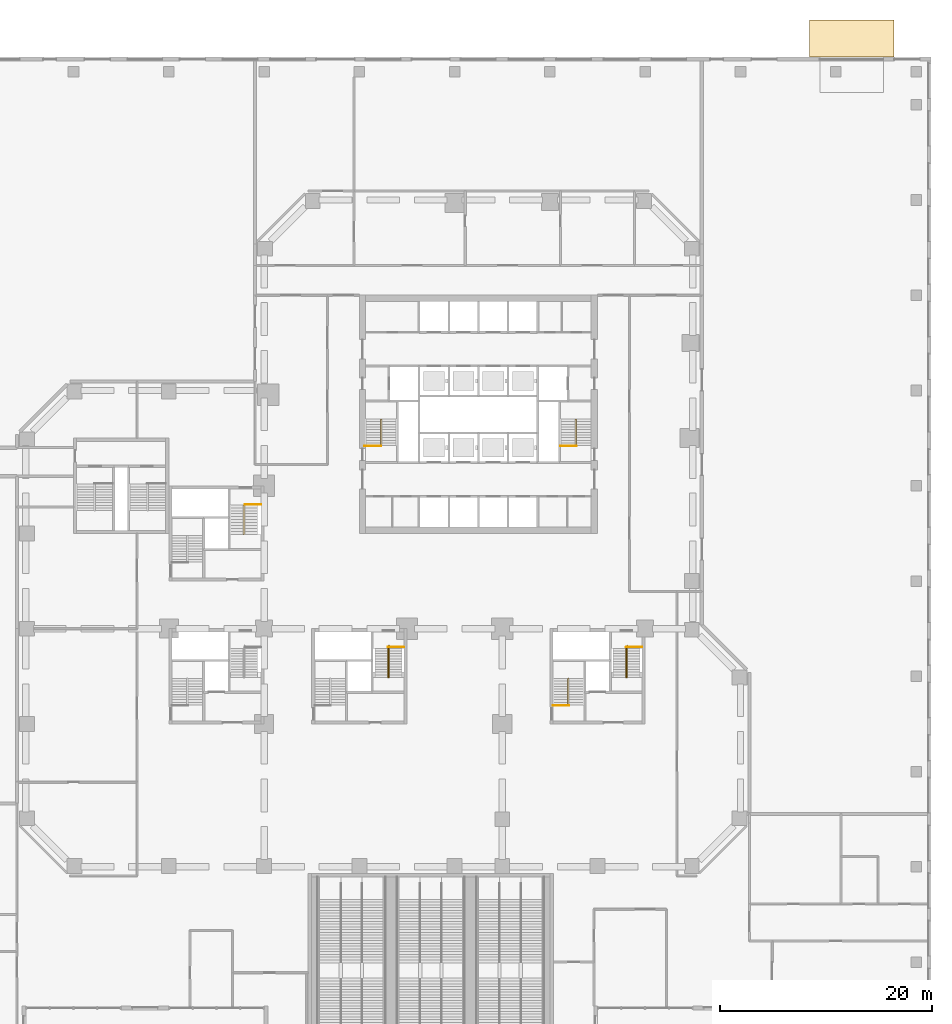
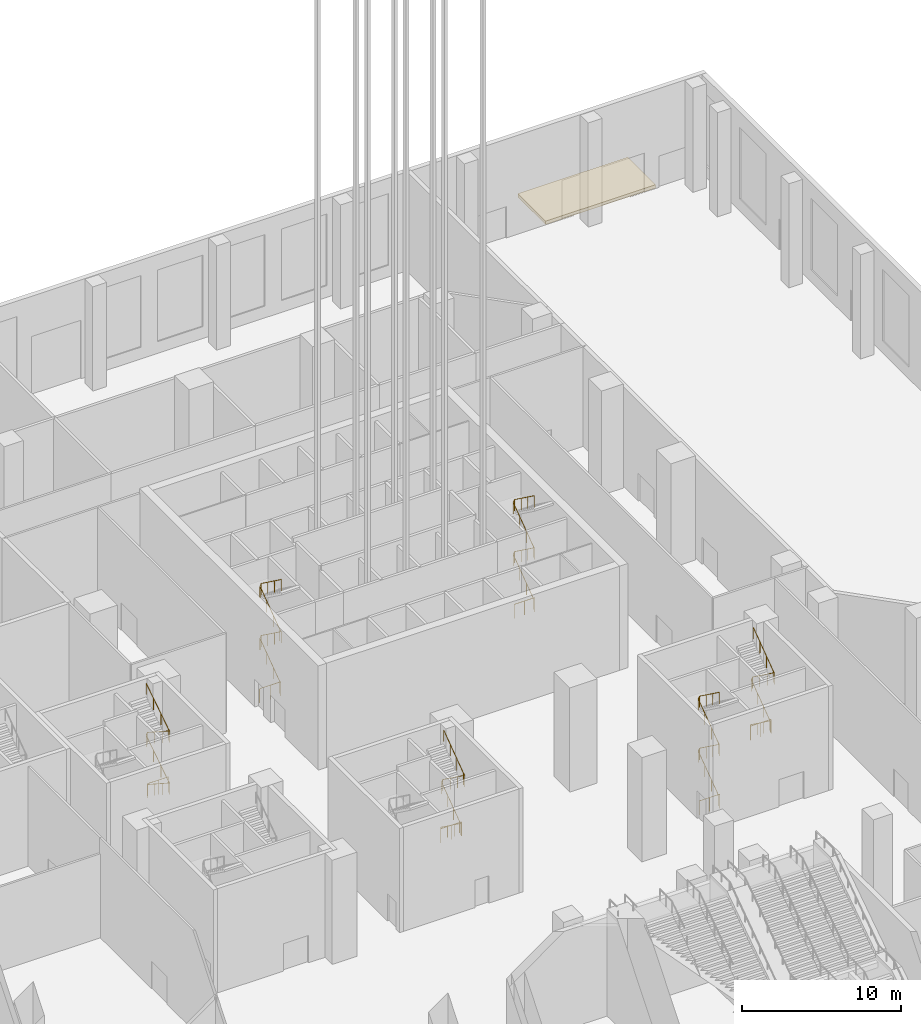
# One storey, part 31 of 32: 12 railings, 1 covering.
"""IFC4 building model written with IfcOpenShell, lengths in metres."""

from ifc_helpers import new_model, si_unit, direction, frame, origin, origin_2d, place, context, subcontext, project, spatial, polyline, circle, outline, extrude, material, layer, layer_set, type_object, element, save


model = new_model("IFC4")

# Units and contexts
model_context = context("Model", 3, precision=1e-05, world=origin(), true_north=direction((0.0, 1.0)))
body_context = subcontext(model_context, "Body", "Model", "MODEL_VIEW")
ifc_project = project(units=[si_unit("LENGTHUNIT", "METRE"), si_unit("AREAUNIT", "SQUARE_METRE"), si_unit("VOLUMEUNIT", "CUBIC_METRE"), si_unit("PLANEANGLEUNIT", "RADIAN"), si_unit("MASSUNIT", "GRAM", prefix="KILO")], contexts=[model_context])

# Site, building, storey
site_placement = place(None, origin())
site = spatial("IfcSite", under=ifc_project, at=site_placement, CompositionType="ELEMENT")
building_placement = place(site_placement, origin())
building = spatial("IfcBuilding", under=site, at=building_placement, Name="Quoin Convention Tower", CompositionType="ELEMENT")
storey_placement = place(building_placement, origin())
storey = spatial("IfcBuildingStorey", under=building, at=storey_placement, Name="L00", CompositionType="ELEMENT", Elevation=0.0)

# Covering
ifc_material_1 = material(Name="Concrete C40", Category="concrete")
ifc_layer = layer(ifc_material_1, 0.25)
ifc_layer_set = layer_set([ifc_layer], Name="Concrete C40")
covering_type = type_object("IfcCoveringType", Name="Lane apron", PredefinedType="USERDEFINED", material=ifc_layer_set)
covering_placement = place(storey_placement, frame((0.0, 0.0, -0.25)))
element("IfcCovering", 1, at=covering_placement, inside=storey, type_object=covering_type, Name="LANE APRON", ObjectType="PAVING", PredefinedType="USERDEFINED", context=body_context, shape_type="SweptSolid", body=[
    extrude(outline(polyline([(87.5, 94.5), (95.5, 94.5), (95.5, 98.0), (87.5, 98.0), (87.5, 94.5)])), origin(), (0.0, 0.0, 1.0), 0.25),
])

# Railings
ifc_material_2 = material(Name="Stainless steel", Category="steel")
railing_type_1 = type_object("IfcRailingType", Name="Stair handrail 900", PredefinedType="HANDRAIL", material=ifc_material_2)
railing_1_placement = place(storey_placement, frame((47.0048828125, 57.800048828125, 0.181884765625)))
element("IfcRailing", 2, at=railing_1_placement, inside=storey, type_object=railing_type_1, Name="SD1 handrail 1", PredefinedType="HANDRAIL", context=body_context, shape_type="SweptSolid", body=[
    extrude(circle(Radius=0.02392578125, at=origin_2d()), frame((0.0, 0.0, 0.8759765625), z_axis=(0.0, 0.808746330122, 0.588157609416), x_axis=(-1.0, 0.0, 0.0)), (0.0, 0.0, 1.0), 3.09130859375),
    extrude(circle(Radius=0.02392578125, at=origin_2d()), frame((0.0, 2.5, 2.69384765625), z_axis=(0.443842514395, 0.0, 0.896104805486), x_axis=(0.0, 1.0, 0.0)), (0.0, 0.0, 1.0), 0.202880859375),
    extrude(circle(Radius=0.02392578125, at=origin_2d()), frame((0.090087890625, 2.5, 2.8759765625), z_axis=(0.0, -0.808746330122, 0.588157609416), x_axis=(1.0, 0.0, 0.0)), (0.0, 0.0, 1.0), 3.09130859375),
    extrude(circle(Radius=0.02392578125, at=origin_2d()), frame((0.090087890625, 0.0, 4.69384765625), z_axis=(-0.443842514395, 0.0, 0.896104805486), x_axis=(0.0, -1.0, 0.0)), (0.0, 0.0, 1.0), 0.202880859375),
    extrude(circle(Radius=0.02392578125, at=origin_2d()), frame((0.0, 0.0, 4.8759765625), z_axis=(0.0, 0.808746330122, 0.588157609416), x_axis=(-1.0, 0.0, 0.0)), (0.0, 0.0, 1.0), 3.09130859375),
    extrude(circle(Radius=0.02392578125, at=origin_2d()), frame((0.0, 2.5, 6.69384765625), z_axis=(0.443842514395, 0.0, 0.896104805486), x_axis=(0.0, 1.0, 0.0)), (0.0, 0.0, 1.0), 0.202880859375),
    extrude(circle(Radius=0.02392578125, at=origin_2d()), frame((0.090087890625, 2.5, 6.8759765625), z_axis=(0.0, -0.808746330122, 0.588157609416), x_axis=(1.0, 0.0, 0.0)), (0.0, 0.0, 1.0), 3.09130859375),
    extrude(circle(Radius=0.02099609375, at=origin_2d()), origin(), (0.0, 0.0, 1.0), 0.851806640625),
    extrude(circle(Radius=0.02099609375, at=origin_2d()), frame((0.0, 0.833251953125, 0.60595703125)), (0.0, 0.0, 1.0), 0.851806640625),
    extrude(circle(Radius=0.02099609375, at=origin_2d()), frame((0.0, 1.666748046875, 1.212158203125)), (0.0, 0.0, 1.0), 0.851806640625),
    extrude(circle(Radius=0.02099609375, at=origin_2d()), frame((0.0, 2.5, 1.818115234375)), (0.0, 0.0, 1.0), 0.851806640625),
    extrude(circle(Radius=0.02099609375, at=origin_2d()), frame((0.090087890625, 2.5, 2.0)), (0.0, 0.0, 1.0), 0.851806640625),
    extrude(circle(Radius=0.02099609375, at=origin_2d()), frame((0.090087890625, 1.666748046875, 2.60595703125)), (0.0, 0.0, 1.0), 0.851806640625),
    extrude(circle(Radius=0.02099609375, at=origin_2d()), frame((0.090087890625, 0.833251953125, 3.212158203125)), (0.0, 0.0, 1.0), 0.851806640625),
    extrude(circle(Radius=0.02099609375, at=origin_2d()), frame((0.090087890625, 0.0, 3.818115234375)), (0.0, 0.0, 1.0), 0.851806640625),
    extrude(circle(Radius=0.02099609375, at=origin_2d()), frame((0.0, 0.0, 4.0)), (0.0, 0.0, 1.0), 0.851806640625),
    extrude(circle(Radius=0.02099609375, at=origin_2d()), frame((0.0, 0.833251953125, 4.60595703125)), (0.0, 0.0, 1.0), 0.851806640625),
    extrude(circle(Radius=0.02099609375, at=origin_2d()), frame((0.0, 1.666748046875, 5.212158203125)), (0.0, 0.0, 1.0), 0.851806640625),
    extrude(circle(Radius=0.02099609375, at=origin_2d()), frame((0.0, 2.5, 5.818115234375)), (0.0, 0.0, 1.0), 0.851806640625),
    extrude(circle(Radius=0.02099609375, at=origin_2d()), frame((0.090087890625, 2.5, 6.0)), (0.0, 0.0, 1.0), 0.851806640625),
    extrude(circle(Radius=0.02099609375, at=origin_2d()), frame((0.090087890625, 1.666748046875, 6.60595703125)), (0.0, 0.0, 1.0), 0.851806640625),
    extrude(circle(Radius=0.02099609375, at=origin_2d()), frame((0.090087890625, 0.833251953125, 7.212158203125)), (0.0, 0.0, 1.0), 0.851806640625),
    extrude(circle(Radius=0.02099609375, at=origin_2d()), frame((0.090087890625, 0.0, 7.818115234375)), (0.0, 0.0, 1.0), 0.851806640625),
])
railing_2_placement = place(storey_placement, frame((65.405029296875, 57.800048828125, 0.181884765625)))
element("IfcRailing", 3, at=railing_2_placement, inside=storey, type_object=railing_type_1, Name="SD2 handrail 1", PredefinedType="HANDRAIL", context=body_context, shape_type="SweptSolid", body=[
    extrude(circle(Radius=0.02392578125, at=origin_2d()), frame((0.0, 0.0, 0.8759765625), z_axis=(0.0, 0.808746330122, 0.588157609416), x_axis=(-1.0, 0.0, 0.0)), (0.0, 0.0, 1.0), 3.09130859375),
    extrude(circle(Radius=0.02392578125, at=origin_2d()), frame((0.0, 2.5, 2.69384765625), z_axis=(0.443842514395, 0.0, 0.896104805486), x_axis=(0.0, 1.0, 0.0)), (0.0, 0.0, 1.0), 0.202880859375),
    extrude(circle(Radius=0.02392578125, at=origin_2d()), frame((0.090087890625, 2.5, 2.8759765625), z_axis=(0.0, -0.808746330122, 0.588157609416), x_axis=(1.0, 0.0, 0.0)), (0.0, 0.0, 1.0), 3.09130859375),
    extrude(circle(Radius=0.02392578125, at=origin_2d()), frame((0.090087890625, 0.0, 4.69384765625), z_axis=(-0.443842514395, 0.0, 0.896104805486), x_axis=(0.0, -1.0, 0.0)), (0.0, 0.0, 1.0), 0.202880859375),
    extrude(circle(Radius=0.02392578125, at=origin_2d()), frame((0.0, 0.0, 4.8759765625), z_axis=(0.0, 0.808746330122, 0.588157609416), x_axis=(-1.0, 0.0, 0.0)), (0.0, 0.0, 1.0), 3.09130859375),
    extrude(circle(Radius=0.02392578125, at=origin_2d()), frame((0.0, 2.5, 6.69384765625), z_axis=(0.443842514395, 0.0, 0.896104805486), x_axis=(0.0, 1.0, 0.0)), (0.0, 0.0, 1.0), 0.202880859375),
    extrude(circle(Radius=0.02392578125, at=origin_2d()), frame((0.090087890625, 2.5, 6.8759765625), z_axis=(0.0, -0.808746330122, 0.588157609416), x_axis=(1.0, 0.0, 0.0)), (0.0, 0.0, 1.0), 3.09130859375),
    extrude(circle(Radius=0.02099609375, at=origin_2d()), origin(), (0.0, 0.0, 1.0), 0.851806640625),
    extrude(circle(Radius=0.02099609375, at=origin_2d()), frame((0.0, 0.833251953125, 0.60595703125)), (0.0, 0.0, 1.0), 0.851806640625),
    extrude(circle(Radius=0.02099609375, at=origin_2d()), frame((0.0, 1.666748046875, 1.212158203125)), (0.0, 0.0, 1.0), 0.851806640625),
    extrude(circle(Radius=0.02099609375, at=origin_2d()), frame((0.0, 2.5, 1.818115234375)), (0.0, 0.0, 1.0), 0.851806640625),
    extrude(circle(Radius=0.02099609375, at=origin_2d()), frame((0.090087890625, 2.5, 2.0)), (0.0, 0.0, 1.0), 0.851806640625),
    extrude(circle(Radius=0.02099609375, at=origin_2d()), frame((0.090087890625, 1.666748046875, 2.60595703125)), (0.0, 0.0, 1.0), 0.851806640625),
    extrude(circle(Radius=0.02099609375, at=origin_2d()), frame((0.090087890625, 0.833251953125, 3.212158203125)), (0.0, 0.0, 1.0), 0.851806640625),
    extrude(circle(Radius=0.02099609375, at=origin_2d()), frame((0.090087890625, 0.0, 3.818115234375)), (0.0, 0.0, 1.0), 0.851806640625),
    extrude(circle(Radius=0.02099609375, at=origin_2d()), frame((0.0, 0.0, 4.0)), (0.0, 0.0, 1.0), 0.851806640625),
    extrude(circle(Radius=0.02099609375, at=origin_2d()), frame((0.0, 0.833251953125, 4.60595703125)), (0.0, 0.0, 1.0), 0.851806640625),
    extrude(circle(Radius=0.02099609375, at=origin_2d()), frame((0.0, 1.666748046875, 5.212158203125)), (0.0, 0.0, 1.0), 0.851806640625),
    extrude(circle(Radius=0.02099609375, at=origin_2d()), frame((0.0, 2.5, 5.818115234375)), (0.0, 0.0, 1.0), 0.851806640625),
    extrude(circle(Radius=0.02099609375, at=origin_2d()), frame((0.090087890625, 2.5, 6.0)), (0.0, 0.0, 1.0), 0.851806640625),
    extrude(circle(Radius=0.02099609375, at=origin_2d()), frame((0.090087890625, 1.666748046875, 6.60595703125)), (0.0, 0.0, 1.0), 0.851806640625),
    extrude(circle(Radius=0.02099609375, at=origin_2d()), frame((0.090087890625, 0.833251953125, 7.212158203125)), (0.0, 0.0, 1.0), 0.851806640625),
    extrude(circle(Radius=0.02099609375, at=origin_2d()), frame((0.090087890625, 0.0, 7.818115234375)), (0.0, 0.0, 1.0), 0.851806640625),
])
railing_3_placement = place(storey_placement, frame((34.14501953125, 52.199951171875, 0.181884765625)))
element("IfcRailing", 4, at=railing_3_placement, inside=storey, type_object=railing_type_1, Name="SD4 handrail 1", PredefinedType="HANDRAIL", context=body_context, shape_type="SweptSolid", body=[
    extrude(circle(Radius=0.02392578125, at=origin_2d()), frame((0.0, 0.0, 0.8759765625), z_axis=(0.0, -0.838705829183, 0.544584733623), x_axis=(1.0, 0.0, 0.0)), (0.0, 0.0, 1.0), 3.338623046875),
    extrude(circle(Radius=0.02392578125, at=origin_2d()), frame((0.0, -2.800048828125, 2.69384765625), z_axis=(-0.443842514395, 0.0, 0.896104805486), x_axis=(0.0, -1.0, 0.0)), (0.0, 0.0, 1.0), 0.202880859375),
    extrude(circle(Radius=0.02392578125, at=origin_2d()), frame((-0.090087890625, -2.800048828125, 2.8759765625), z_axis=(0.0, 0.838705829183, 0.544584733623), x_axis=(-1.0, 0.0, 0.0)), (0.0, 0.0, 1.0), 3.338623046875),
    extrude(circle(Radius=0.02392578125, at=origin_2d()), frame((-0.090087890625, 0.0, 4.69384765625), z_axis=(0.443842514395, 0.0, 0.896104805486), x_axis=(0.0, 1.0, 0.0)), (0.0, 0.0, 1.0), 0.202880859375),
    extrude(circle(Radius=0.02392578125, at=origin_2d()), frame((0.0, 0.0, 4.8759765625), z_axis=(0.0, -0.838705829183, 0.544584733623), x_axis=(1.0, 0.0, 0.0)), (0.0, 0.0, 1.0), 3.338623046875),
    extrude(circle(Radius=0.02392578125, at=origin_2d()), frame((0.0, -2.800048828125, 6.69384765625), z_axis=(-0.443842514395, 0.0, 0.896104805486), x_axis=(0.0, -1.0, 0.0)), (0.0, 0.0, 1.0), 0.202880859375),
    extrude(circle(Radius=0.02392578125, at=origin_2d()), frame((-0.090087890625, -2.800048828125, 6.8759765625), z_axis=(0.0, 0.838705829183, 0.544584733623), x_axis=(-1.0, 0.0, 0.0)), (0.0, 0.0, 1.0), 3.338623046875),
    extrude(circle(Radius=0.02099609375, at=origin_2d()), origin(), (0.0, 0.0, 1.0), 0.851806640625),
    extrude(circle(Radius=0.02099609375, at=origin_2d()), frame((0.0, -0.933349609375, 0.60595703125)), (0.0, 0.0, 1.0), 0.851806640625),
    extrude(circle(Radius=0.02099609375, at=origin_2d()), frame((0.0, -1.86669921875, 1.212158203125)), (0.0, 0.0, 1.0), 0.851806640625),
    extrude(circle(Radius=0.02099609375, at=origin_2d()), frame((0.0, -2.800048828125, 1.818115234375)), (0.0, 0.0, 1.0), 0.851806640625),
    extrude(circle(Radius=0.02099609375, at=origin_2d()), frame((-0.090087890625, -2.800048828125, 2.0)), (0.0, 0.0, 1.0), 0.851806640625),
    extrude(circle(Radius=0.02099609375, at=origin_2d()), frame((-0.090087890625, -1.86669921875, 2.60595703125)), (0.0, 0.0, 1.0), 0.851806640625),
    extrude(circle(Radius=0.02099609375, at=origin_2d()), frame((-0.090087890625, -0.933349609375, 3.212158203125)), (0.0, 0.0, 1.0), 0.851806640625),
    extrude(circle(Radius=0.02099609375, at=origin_2d()), frame((-0.090087890625, 0.0, 3.818115234375)), (0.0, 0.0, 1.0), 0.851806640625),
    extrude(circle(Radius=0.02099609375, at=origin_2d()), frame((0.0, 0.0, 4.0)), (0.0, 0.0, 1.0), 0.851806640625),
    extrude(circle(Radius=0.02099609375, at=origin_2d()), frame((0.0, -0.933349609375, 4.60595703125)), (0.0, 0.0, 1.0), 0.851806640625),
    extrude(circle(Radius=0.02099609375, at=origin_2d()), frame((0.0, -1.86669921875, 5.212158203125)), (0.0, 0.0, 1.0), 0.851806640625),
    extrude(circle(Radius=0.02099609375, at=origin_2d()), frame((0.0, -2.800048828125, 5.818115234375)), (0.0, 0.0, 1.0), 0.851806640625),
    extrude(circle(Radius=0.02099609375, at=origin_2d()), frame((-0.090087890625, -2.800048828125, 6.0)), (0.0, 0.0, 1.0), 0.851806640625),
    extrude(circle(Radius=0.02099609375, at=origin_2d()), frame((-0.090087890625, -1.86669921875, 6.60595703125)), (0.0, 0.0, 1.0), 0.851806640625),
    extrude(circle(Radius=0.02099609375, at=origin_2d()), frame((-0.090087890625, -0.933349609375, 7.212158203125)), (0.0, 0.0, 1.0), 0.851806640625),
    extrude(circle(Radius=0.02099609375, at=origin_2d()), frame((-0.090087890625, 0.0, 7.818115234375)), (0.0, 0.0, 1.0), 0.851806640625),
])
railing_4_placement = place(storey_placement, frame((47.794921875, 38.89990234375, 0.181884765625)))
element("IfcRailing", 5, at=railing_4_placement, inside=storey, type_object=railing_type_1, Name="SD6 handrail 1", PredefinedType="HANDRAIL", context=body_context, shape_type="SweptSolid", body=[
    extrude(circle(Radius=0.02392578125, at=origin_2d()), frame((0.0, 0.0, 0.8759765625), z_axis=(0.0, -0.808746330122, 0.588157609416), x_axis=(1.0, 0.0, 0.0)), (0.0, 0.0, 1.0), 3.09130859375),
    extrude(circle(Radius=0.02392578125, at=origin_2d()), frame((0.0, -2.5, 2.69384765625), z_axis=(-0.44287586767, 0.0, 0.896582938626), x_axis=(0.0, -1.0, 0.0)), (0.0, 0.0, 1.0), 0.202880859375),
    extrude(circle(Radius=0.02392578125, at=origin_2d()), frame((-0.08984375, -2.5, 2.8759765625), z_axis=(0.0, 0.808758852809, 0.588140389706), x_axis=(-1.0, 0.0, 0.0)), (0.0, 0.0, 1.0), 2.781982421875),
    extrude(circle(Radius=0.02392578125, at=origin_2d()), frame((-0.08984375, -0.25, 4.51220703125), z_axis=(0.44287586767, 0.0, 0.896582938626), x_axis=(0.0, 1.0, 0.0)), (0.0, 0.0, 1.0), 0.202880859375),
    extrude(circle(Radius=0.02392578125, at=origin_2d()), frame((0.0, -0.25, 4.69384765625), z_axis=(0.0, -0.808736084303, 0.588171697675), x_axis=(1.0, 0.0, 0.0)), (0.0, 0.0, 1.0), 3.400390625),
    extrude(circle(Radius=0.02392578125, at=origin_2d()), frame((0.0, -3.0, 6.69384765625), z_axis=(-0.44287586767, 0.0, 0.896582938626), x_axis=(0.0, -1.0, 0.0)), (0.0, 0.0, 1.0), 0.202880859375),
    extrude(circle(Radius=0.02392578125, at=origin_2d()), frame((-0.08984375, -3.0, 6.8759765625), z_axis=(0.0, 0.808746330122, 0.588157609416), x_axis=(-1.0, 0.0, 0.0)), (0.0, 0.0, 1.0), 3.09130859375),
    extrude(circle(Radius=0.02099609375, at=origin_2d()), origin(), (0.0, 0.0, 1.0), 0.851806640625),
    extrude(circle(Radius=0.02099609375, at=origin_2d()), frame((0.0, -0.833251953125, 0.60595703125)), (0.0, 0.0, 1.0), 0.851806640625),
    extrude(circle(Radius=0.02099609375, at=origin_2d()), frame((0.0, -1.666748046875, 1.212158203125)), (0.0, 0.0, 1.0), 0.851806640625),
    extrude(circle(Radius=0.02099609375, at=origin_2d()), frame((0.0, -2.5, 1.818115234375)), (0.0, 0.0, 1.0), 0.851806640625),
    extrude(circle(Radius=0.02099609375, at=origin_2d()), frame((-0.08984375, -2.5, 2.0)), (0.0, 0.0, 1.0), 0.851806640625),
    extrude(circle(Radius=0.02099609375, at=origin_2d()), frame((-0.08984375, -1.75, 2.54541015625)), (0.0, 0.0, 1.0), 0.851806640625),
    extrude(circle(Radius=0.02099609375, at=origin_2d()), frame((-0.08984375, -1.0, 3.0908203125)), (0.0, 0.0, 1.0), 0.851806640625),
    extrude(circle(Radius=0.02099609375, at=origin_2d()), frame((-0.08984375, -0.25, 3.63623046875)), (0.0, 0.0, 1.0), 0.851806640625),
    extrude(circle(Radius=0.02099609375, at=origin_2d()), frame((0.0, -0.25, 3.818115234375)), (0.0, 0.0, 1.0), 0.851806640625),
    extrude(circle(Radius=0.02099609375, at=origin_2d()), frame((0.0, -1.166748046875, 4.48486328125)), (0.0, 0.0, 1.0), 0.851806640625),
    extrude(circle(Radius=0.02099609375, at=origin_2d()), frame((0.0, -2.083251953125, 5.1513671875)), (0.0, 0.0, 1.0), 0.851806640625),
    extrude(circle(Radius=0.02099609375, at=origin_2d()), frame((0.0, -3.0, 5.818115234375)), (0.0, 0.0, 1.0), 0.851806640625),
    extrude(circle(Radius=0.02099609375, at=origin_2d()), frame((-0.08984375, -3.0, 6.0)), (0.0, 0.0, 1.0), 0.851806640625),
    extrude(circle(Radius=0.02099609375, at=origin_2d()), frame((-0.08984375, -2.166748046875, 6.60595703125)), (0.0, 0.0, 1.0), 0.851806640625),
    extrude(circle(Radius=0.02099609375, at=origin_2d()), frame((-0.08984375, -1.333251953125, 7.212158203125)), (0.0, 0.0, 1.0), 0.851806640625),
    extrude(circle(Radius=0.02099609375, at=origin_2d()), frame((-0.08984375, -0.5, 7.818115234375)), (0.0, 0.0, 1.0), 0.851806640625),
])
railing_5_placement = place(storey_placement, frame((64.705078125, 33.300048828125, 0.181884765625)))
element("IfcRailing", 6, at=railing_5_placement, inside=storey, type_object=railing_type_1, Name="SD9 handrail 1", PredefinedType="HANDRAIL", context=body_context, shape_type="SweptSolid", body=[
    extrude(circle(Radius=0.02392578125, at=origin_2d()), frame((0.0, 0.0, 0.8759765625), z_axis=(0.0, 0.808746330122, 0.588157609416), x_axis=(-1.0, 0.0, 0.0)), (0.0, 0.0, 1.0), 3.09130859375),
    extrude(circle(Radius=0.02392578125, at=origin_2d()), frame((0.0, 2.5, 2.69384765625), z_axis=(0.44287586767, 0.0, 0.896582938626), x_axis=(0.0, 1.0, 0.0)), (0.0, 0.0, 1.0), 0.202880859375),
    extrude(circle(Radius=0.02392578125, at=origin_2d()), frame((0.08984375, 2.5, 2.8759765625), z_axis=(0.0, -0.808746330122, 0.588157609416), x_axis=(1.0, 0.0, 0.0)), (0.0, 0.0, 1.0), 3.09130859375),
    extrude(circle(Radius=0.02392578125, at=origin_2d()), frame((0.08984375, 0.0, 4.69384765625), z_axis=(-0.44287586767, 0.0, 0.896582938626), x_axis=(0.0, -1.0, 0.0)), (0.0, 0.0, 1.0), 0.202880859375),
    extrude(circle(Radius=0.02392578125, at=origin_2d()), frame((0.0, 0.0, 4.8759765625), z_axis=(0.0, 0.808746330122, 0.588157609416), x_axis=(-1.0, 0.0, 0.0)), (0.0, 0.0, 1.0), 3.09130859375),
    extrude(circle(Radius=0.02392578125, at=origin_2d()), frame((0.0, 2.5, 6.69384765625), z_axis=(0.44287586767, 0.0, 0.896582938626), x_axis=(0.0, 1.0, 0.0)), (0.0, 0.0, 1.0), 0.202880859375),
    extrude(circle(Radius=0.02392578125, at=origin_2d()), frame((0.08984375, 2.5, 6.8759765625), z_axis=(0.0, -0.808746330122, 0.588157609416), x_axis=(1.0, 0.0, 0.0)), (0.0, 0.0, 1.0), 3.09130859375),
    extrude(circle(Radius=0.02099609375, at=origin_2d()), origin(), (0.0, 0.0, 1.0), 0.851806640625),
    extrude(circle(Radius=0.02099609375, at=origin_2d()), frame((0.0, 0.833251953125, 0.60595703125)), (0.0, 0.0, 1.0), 0.851806640625),
    extrude(circle(Radius=0.02099609375, at=origin_2d()), frame((0.0, 1.666748046875, 1.212158203125)), (0.0, 0.0, 1.0), 0.851806640625),
    extrude(circle(Radius=0.02099609375, at=origin_2d()), frame((0.0, 2.5, 1.818115234375)), (0.0, 0.0, 1.0), 0.851806640625),
    extrude(circle(Radius=0.02099609375, at=origin_2d()), frame((0.08984375, 2.5, 2.0)), (0.0, 0.0, 1.0), 0.851806640625),
    extrude(circle(Radius=0.02099609375, at=origin_2d()), frame((0.08984375, 1.666748046875, 2.60595703125)), (0.0, 0.0, 1.0), 0.851806640625),
    extrude(circle(Radius=0.02099609375, at=origin_2d()), frame((0.08984375, 0.833251953125, 3.212158203125)), (0.0, 0.0, 1.0), 0.851806640625),
    extrude(circle(Radius=0.02099609375, at=origin_2d()), frame((0.08984375, 0.0, 3.818115234375)), (0.0, 0.0, 1.0), 0.851806640625),
    extrude(circle(Radius=0.02099609375, at=origin_2d()), frame((0.0, 0.0, 4.0)), (0.0, 0.0, 1.0), 0.851806640625),
    extrude(circle(Radius=0.02099609375, at=origin_2d()), frame((0.0, 0.833251953125, 4.60595703125)), (0.0, 0.0, 1.0), 0.851806640625),
    extrude(circle(Radius=0.02099609375, at=origin_2d()), frame((0.0, 1.666748046875, 5.212158203125)), (0.0, 0.0, 1.0), 0.851806640625),
    extrude(circle(Radius=0.02099609375, at=origin_2d()), frame((0.0, 2.5, 5.818115234375)), (0.0, 0.0, 1.0), 0.851806640625),
    extrude(circle(Radius=0.02099609375, at=origin_2d()), frame((0.08984375, 2.5, 6.0)), (0.0, 0.0, 1.0), 0.851806640625),
    extrude(circle(Radius=0.02099609375, at=origin_2d()), frame((0.08984375, 1.666748046875, 6.60595703125)), (0.0, 0.0, 1.0), 0.851806640625),
    extrude(circle(Radius=0.02099609375, at=origin_2d()), frame((0.08984375, 0.833251953125, 7.212158203125)), (0.0, 0.0, 1.0), 0.851806640625),
    extrude(circle(Radius=0.02099609375, at=origin_2d()), frame((0.08984375, 0.0, 7.818115234375)), (0.0, 0.0, 1.0), 0.851806640625),
])
railing_6_placement = place(storey_placement, frame((70.294921875, 38.89990234375, 0.181884765625)))
element("IfcRailing", 7, at=railing_6_placement, inside=storey, type_object=railing_type_1, Name="SD10 handrail 1", PredefinedType="HANDRAIL", context=body_context, shape_type="SweptSolid", body=[
    extrude(circle(Radius=0.02392578125, at=origin_2d()), frame((0.0, 0.0, 0.8759765625), z_axis=(0.0, -0.808746330122, 0.588157609416), x_axis=(1.0, 0.0, 0.0)), (0.0, 0.0, 1.0), 3.09130859375),
    extrude(circle(Radius=0.02392578125, at=origin_2d()), frame((0.0, -2.5, 2.69384765625), z_axis=(-0.44287586767, 0.0, 0.896582938626), x_axis=(0.0, -1.0, 0.0)), (0.0, 0.0, 1.0), 0.202880859375),
    extrude(circle(Radius=0.02392578125, at=origin_2d()), frame((-0.08984375, -2.5, 2.8759765625), z_axis=(0.0, 0.808758852809, 0.588140389706), x_axis=(-1.0, 0.0, 0.0)), (0.0, 0.0, 1.0), 2.781982421875),
    extrude(circle(Radius=0.02392578125, at=origin_2d()), frame((-0.08984375, -0.25, 4.51220703125), z_axis=(0.44287586767, 0.0, 0.896582938626), x_axis=(0.0, 1.0, 0.0)), (0.0, 0.0, 1.0), 0.202880859375),
    extrude(circle(Radius=0.02392578125, at=origin_2d()), frame((0.0, -0.25, 4.69384765625), z_axis=(0.0, -0.808736084303, 0.588171697675), x_axis=(1.0, 0.0, 0.0)), (0.0, 0.0, 1.0), 3.400390625),
    extrude(circle(Radius=0.02392578125, at=origin_2d()), frame((0.0, -3.0, 6.69384765625), z_axis=(-0.44287586767, 0.0, 0.896582938626), x_axis=(0.0, -1.0, 0.0)), (0.0, 0.0, 1.0), 0.202880859375),
    extrude(circle(Radius=0.02392578125, at=origin_2d()), frame((-0.08984375, -3.0, 6.8759765625), z_axis=(0.0, 0.808746330122, 0.588157609416), x_axis=(-1.0, 0.0, 0.0)), (0.0, 0.0, 1.0), 3.09130859375),
    extrude(circle(Radius=0.02099609375, at=origin_2d()), origin(), (0.0, 0.0, 1.0), 0.851806640625),
    extrude(circle(Radius=0.02099609375, at=origin_2d()), frame((0.0, -0.833251953125, 0.60595703125)), (0.0, 0.0, 1.0), 0.851806640625),
    extrude(circle(Radius=0.02099609375, at=origin_2d()), frame((0.0, -1.666748046875, 1.212158203125)), (0.0, 0.0, 1.0), 0.851806640625),
    extrude(circle(Radius=0.02099609375, at=origin_2d()), frame((0.0, -2.5, 1.818115234375)), (0.0, 0.0, 1.0), 0.851806640625),
    extrude(circle(Radius=0.02099609375, at=origin_2d()), frame((-0.08984375, -2.5, 2.0)), (0.0, 0.0, 1.0), 0.851806640625),
    extrude(circle(Radius=0.02099609375, at=origin_2d()), frame((-0.08984375, -1.75, 2.54541015625)), (0.0, 0.0, 1.0), 0.851806640625),
    extrude(circle(Radius=0.02099609375, at=origin_2d()), frame((-0.08984375, -1.0, 3.0908203125)), (0.0, 0.0, 1.0), 0.851806640625),
    extrude(circle(Radius=0.02099609375, at=origin_2d()), frame((-0.08984375, -0.25, 3.63623046875)), (0.0, 0.0, 1.0), 0.851806640625),
    extrude(circle(Radius=0.02099609375, at=origin_2d()), frame((0.0, -0.25, 3.818115234375)), (0.0, 0.0, 1.0), 0.851806640625),
    extrude(circle(Radius=0.02099609375, at=origin_2d()), frame((0.0, -1.166748046875, 4.48486328125)), (0.0, 0.0, 1.0), 0.851806640625),
    extrude(circle(Radius=0.02099609375, at=origin_2d()), frame((0.0, -2.083251953125, 5.1513671875)), (0.0, 0.0, 1.0), 0.851806640625),
    extrude(circle(Radius=0.02099609375, at=origin_2d()), frame((0.0, -3.0, 5.818115234375)), (0.0, 0.0, 1.0), 0.851806640625),
    extrude(circle(Radius=0.02099609375, at=origin_2d()), frame((-0.08984375, -3.0, 6.0)), (0.0, 0.0, 1.0), 0.851806640625),
    extrude(circle(Radius=0.02099609375, at=origin_2d()), frame((-0.08984375, -2.166748046875, 6.60595703125)), (0.0, 0.0, 1.0), 0.851806640625),
    extrude(circle(Radius=0.02099609375, at=origin_2d()), frame((-0.08984375, -1.333251953125, 7.212158203125)), (0.0, 0.0, 1.0), 0.851806640625),
    extrude(circle(Radius=0.02099609375, at=origin_2d()), frame((-0.08984375, -0.5, 7.818115234375)), (0.0, 0.0, 1.0), 0.851806640625),
])
railing_type_2 = type_object("IfcRailingType", Name="Stair top guard 1100", PredefinedType="GUARDRAIL", material=ifc_material_2)
railing_7_placement = place(storey_placement, frame((45.5, 57.75, 0.0)))
element("IfcRailing", 8, at=railing_7_placement, inside=storey, type_object=railing_type_2, Name="SD1 top guard", PredefinedType="GUARDRAIL", context=body_context, shape_type="SweptSolid", body=[
    extrude(circle(Radius=0.02392578125, at=origin_2d()), frame((0.0, 0.0, 1.076171875), z_axis=(1.0, 0.0, 0.0), x_axis=(0.0, 1.0, 0.0)), (0.0, 0.0, 1.0), 1.544921875),
    extrude(circle(Radius=0.02099609375, at=origin_2d()), origin(), (0.0, 0.0, 1.0), 1.052001953125),
    extrude(circle(Radius=0.02099609375, at=origin_2d()), frame((0.7724609375, 0.0, 0.0)), (0.0, 0.0, 1.0), 1.052001953125),
    extrude(circle(Radius=0.02099609375, at=origin_2d()), frame((1.544921875, 0.0, 0.0)), (0.0, 0.0, 1.0), 1.052001953125),
])
railing_8_placement = place(storey_placement, frame((64.0, 57.75, 0.0)))
element("IfcRailing", 9, at=railing_8_placement, inside=storey, type_object=railing_type_2, Name="SD2 top guard", PredefinedType="GUARDRAIL", context=body_context, shape_type="SweptSolid", body=[
    extrude(circle(Radius=0.02392578125, at=origin_2d()), frame((0.0, 0.0, 1.076171875), z_axis=(1.0, 0.0, 0.0), x_axis=(0.0, 1.0, 0.0)), (0.0, 0.0, 1.0), 1.4951171875),
    extrude(circle(Radius=0.02099609375, at=origin_2d()), origin(), (0.0, 0.0, 1.0), 1.052001953125),
    extrude(circle(Radius=0.02099609375, at=origin_2d()), frame((0.74755859375, 0.0, 0.0)), (0.0, 0.0, 1.0), 1.052001953125),
    extrude(circle(Radius=0.02099609375, at=origin_2d()), frame((1.4951171875, 0.0, 0.0)), (0.0, 0.0, 1.0), 1.052001953125),
])
for number, where, name in (
    (10, (35.699951171875, 52.25, 0.0), "SD4 top guard"),
    (11, (49.199951171875, 38.75, 0.0), "SD6 top guard"),
):
    element("IfcRailing", number, at=place(storey_placement, frame(where)), inside=storey, type_object=railing_type_2, Name=name, PredefinedType="GUARDRAIL", context=body_context, shape_type="SweptSolid", body=[
        extrude(circle(Radius=0.02392578125, at=origin_2d()), frame((0.0, 0.0, 1.076171875), z_axis=(-1.0, 0.0, 0.0), x_axis=(0.0, -1.0, 0.0)), (0.0, 0.0, 1.0), 1.494873046875),
        extrude(circle(Radius=0.02099609375, at=origin_2d()), origin(), (0.0, 0.0, 1.0), 1.052001953125),
        extrude(circle(Radius=0.02099609375, at=origin_2d()), frame((-0.74755859375, 0.0, 0.0)), (0.0, 0.0, 1.0), 1.052001953125),
        extrude(circle(Radius=0.02099609375, at=origin_2d()), frame((-1.494873046875, 0.0, 0.0)), (0.0, 0.0, 1.0), 1.052001953125),
    ])
railing_9_placement = place(storey_placement, frame((63.300048828125, 33.25, 0.0)))
element("IfcRailing", 12, at=railing_9_placement, inside=storey, type_object=railing_type_2, Name="SD9 top guard", PredefinedType="GUARDRAIL", context=body_context, shape_type="SweptSolid", body=[
    extrude(circle(Radius=0.02392578125, at=origin_2d()), frame((0.0, 0.0, 1.076171875), z_axis=(1.0, 0.0, 0.0), x_axis=(0.0, 1.0, 0.0)), (0.0, 0.0, 1.0), 1.494873046875),
    extrude(circle(Radius=0.02099609375, at=origin_2d()), origin(), (0.0, 0.0, 1.0), 1.052001953125),
    extrude(circle(Radius=0.02099609375, at=origin_2d()), frame((0.74755859375, 0.0, 0.0)), (0.0, 0.0, 1.0), 1.052001953125),
    extrude(circle(Radius=0.02099609375, at=origin_2d()), frame((1.494873046875, 0.0, 0.0)), (0.0, 0.0, 1.0), 1.052001953125),
])
railing_10_placement = place(storey_placement, frame((71.699951171875, 38.75, 0.0)))
element("IfcRailing", 13, at=railing_10_placement, inside=storey, type_object=railing_type_2, Name="SD10 top guard", PredefinedType="GUARDRAIL", context=body_context, shape_type="SweptSolid", body=[
    extrude(circle(Radius=0.02392578125, at=origin_2d()), frame((0.0, 0.0, 1.076171875), z_axis=(-1.0, 0.0, 0.0), x_axis=(0.0, -1.0, 0.0)), (0.0, 0.0, 1.0), 1.494873046875),
    extrude(circle(Radius=0.02099609375, at=origin_2d()), origin(), (0.0, 0.0, 1.0), 1.052001953125),
    extrude(circle(Radius=0.02099609375, at=origin_2d()), frame((-0.74755859375, 0.0, 0.0)), (0.0, 0.0, 1.0), 1.052001953125),
    extrude(circle(Radius=0.02099609375, at=origin_2d()), frame((-1.494873046875, 0.0, 0.0)), (0.0, 0.0, 1.0), 1.052001953125),
])

save(model, "model.ifc")
